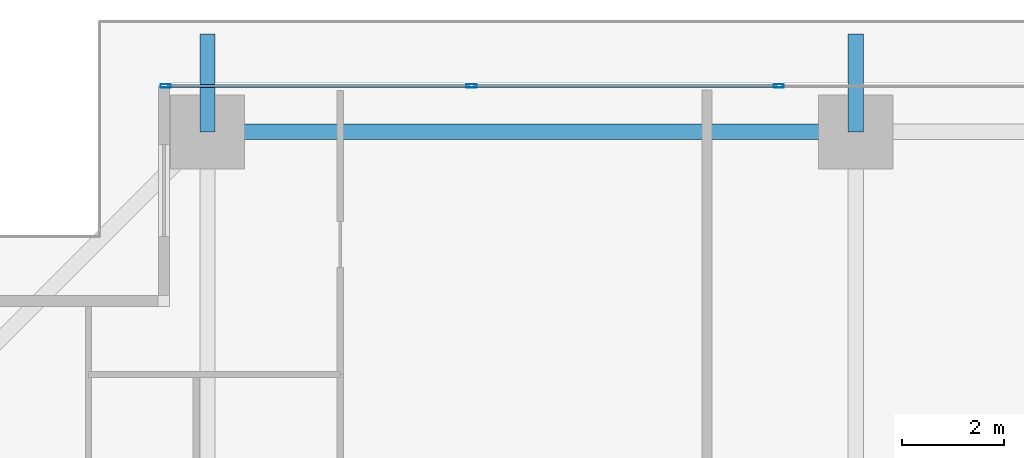
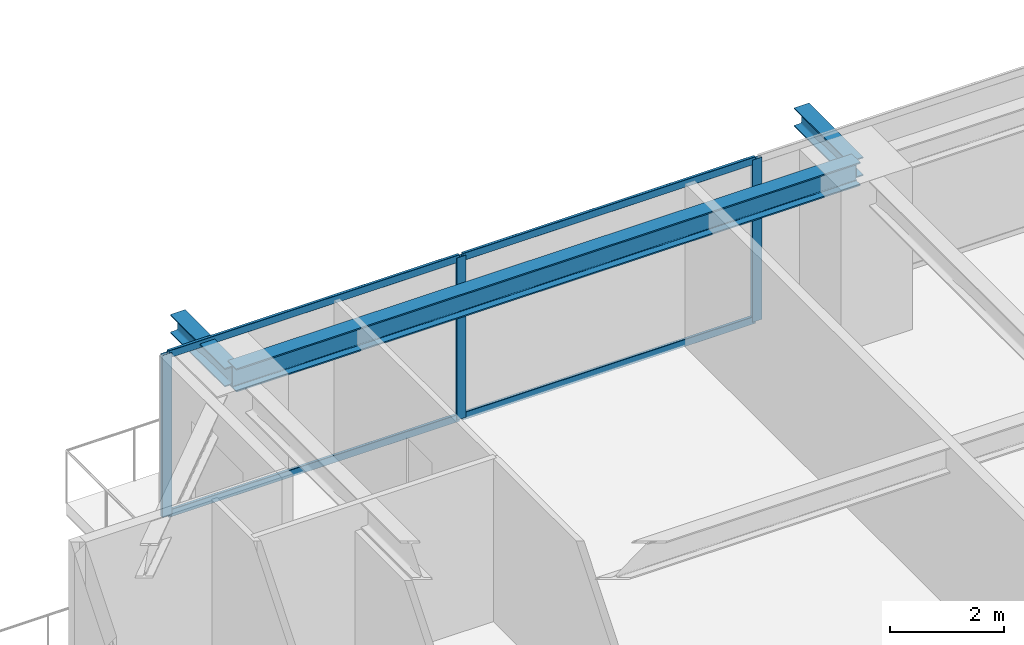
# One storey, part 20 of 41: 7 members, 3 beams, 1 element without a shape of its own.
"""IFC4 building model written with IfcOpenShell, lengths in metres."""

from ifc_helpers import new_model, si_unit, direction, frame, origin, origin_2d, place, context, subcontext, project, spatial, hollow_rectangle, i_section, extrude, source, transform, mapped, material, layer, layer_set, material_profile, profile_set, type_object, element, aggregate, save


model = new_model("IFC4")

# Units and contexts
model_context = context("Model", 3, precision=1e-05, world=origin(), true_north=direction((0.0, 1.0)))
body_context = subcontext(model_context, "Body", "Model", "MODEL_VIEW")
ifc_project = project(units=[si_unit("LENGTHUNIT", "METRE"), si_unit("AREAUNIT", "SQUARE_METRE"), si_unit("VOLUMEUNIT", "CUBIC_METRE"), si_unit("PLANEANGLEUNIT", "RADIAN"), si_unit("MASSUNIT", "GRAM", prefix="KILO")], contexts=[model_context])

# Site, building, storey
site_placement = place(None, origin())
site = spatial("IfcSite", under=ifc_project, at=site_placement, CompositionType="ELEMENT")
building_placement = place(site_placement, origin())
building = spatial("IfcBuilding", under=site, at=building_placement, Name="Serunith Strait Residences", CompositionType="ELEMENT")
storey_placement = place(building_placement, frame((0.0, 0.0, 45.449951171875)))
storey = spatial("IfcBuildingStorey", under=building, at=storey_placement, Name="L10", CompositionType="ELEMENT", Elevation=45.449951171875)

# Beams
ifc_material_1 = material(Name="Steel S355J2", Category="steel")
ifc_material_profile_1 = material_profile(ifc_material_1, i_section(OverallWidth=0.300048828125, OverallDepth=0.5, WebThickness=0.014404296875, FlangeThickness=0.028076171875, FilletRadius=0.027099609375, at=origin_2d()), Name="HEB 500")
ifc_profile_set_1 = profile_set([ifc_material_profile_1], Name="Steel S355J2")
beam_type_1 = type_object("IfcBeamType", Name="BM-HEB500", PredefinedType="BEAM", material=ifc_profile_set_1)
shared_shape_1 = source(origin(), body_context, "Body", "SweptSolid", [
    extrude(i_section(OverallWidth=0.300048828125, OverallDepth=0.5, WebThickness=0.014404296875, FlangeThickness=0.028076171875, FilletRadius=0.027099609375, at=origin_2d()), origin(), (0.0, 0.0, 1.0), 12.64990234375),
])
beam_placement = place(storey_placement, frame((27.89990234375, 49.300048828125, 3.237060546875), z_axis=(-1.0, 0.0, 0.0), x_axis=(0.0, -1.0, 0.0)))
element("IfcBeam", 1, at=beam_placement, inside=storey, type_object=beam_type_1, Name="L10 Perimeter Ring Beam 11", PredefinedType="BEAM", context=body_context, shape_type="MappedRepresentation", body=[
    mapped(shared_shape_1, transform((0.0, 0.0, 0.0), scale=1.0)),
])
ifc_material_profile_2 = material_profile(ifc_material_1, i_section(OverallWidth=0.300048828125, OverallDepth=0.39990234375, WebThickness=0.013427734375, FlangeThickness=0.02392578125, FilletRadius=0.027099609375, at=origin_2d()), Name="HEB 400")
ifc_profile_set_2 = profile_set([ifc_material_profile_2], Name="Steel S355J2")
beam_type_2 = type_object("IfcBeamType", Name="BM-HEB400", PredefinedType="BEAM", material=ifc_profile_set_2)
shared_shape_2 = source(origin(), body_context, "Body", "SweptSolid", [
    extrude(i_section(OverallWidth=0.300048828125, OverallDepth=0.39990234375, WebThickness=0.013427734375, FlangeThickness=0.02392578125, FilletRadius=0.027099609375, at=origin_2d()), origin(), (0.0, 0.0, 1.0), 1.909912109375),
])
for number, where, z_axis, x_axis, name in (
    (2, (15.25, 49.300048828125, 3.257080078125), (0.0, 1.0, 0.0), (-1.0, 0.0, 0.0), "L11 Cantilevered Balcony Rib TC-N1"),
    (3, (27.89990234375, 49.300048828125, 3.257080078125), (0.0, 1.0, 0.0), (-1.0, 0.0, 0.0), "L11 Cantilevered Balcony Rib TC-N2"),
):
    element("IfcBeam", number, at=place(storey_placement, frame(where, z_axis=z_axis, x_axis=x_axis)), inside=storey, type_object=beam_type_2, Name=name, PredefinedType="BEAM", context=body_context, shape_type="MappedRepresentation", body=[
        mapped(shared_shape_2, transform((0.0, 0.0, 0.0), scale=1.0)),
    ])

# Curtain wall, members
ifc_material_2 = material(Name="Pale-Champagne Anodised Aluminium", Category="aluminium")
ifc_layer = layer(ifc_material_2, 0.199951171875, Name="Pale-Champagne Anodised Aluminium")
ifc_layer_set = layer_set([ifc_layer], Name="Pale-Champagne Anodised Aluminium")
curtain_wall_type = type_object("IfcCurtainWallType", Name="CW-SYS1", PredefinedType="NOTDEFINED", material=ifc_layer_set)
curtain_wall_placement = place(storey_placement, origin())
curtain_wall = element("IfcCurtainWall", 4, at=curtain_wall_placement, inside=storey, type_object=curtain_wall_type, Name="L10 N Unitised Fritted Curtain Wall", PredefinedType="NOTDEFINED")
ifc_material_profile_3 = material_profile(ifc_material_2, hollow_rectangle(XDim=0.070068359375, YDim=0.199951171875, WallThickness=0.00390625, InnerFilletRadius=0.006103515625, OuterFilletRadius=0.010009765625, at=origin_2d()), Name="ALU 200x70x4")
ifc_profile_set_3 = profile_set([ifc_material_profile_3], Name="Pale-Champagne Anodised Aluminium")
member_type_1 = type_object("IfcMemberType", Name="CW-SYS1-MULL", PredefinedType="MULLION", material=ifc_profile_set_3)
shared_shape_3 = source(origin(), body_context, "Body", "SweptSolid", [
    extrude(hollow_rectangle(XDim=0.070068359375, YDim=0.199951171875, WallThickness=0.00390625, InnerFilletRadius=0.006103515625, OuterFilletRadius=0.010009765625, at=origin_2d()), origin(), (0.0, 0.0, 1.0), 3.47509765625),
])
member_1_placement = place(storey_placement, frame((26.39990234375, 50.199951171875, 0.0), z_axis=(0.0, 0.0, 1.0), x_axis=(0.0, -1.0, 0.0)))
member_1 = element("IfcMember", 5, at=member_1_placement, type_object=member_type_1, Name="CW-1 mullion 5", PredefinedType="MULLION", context=body_context, shape_type="MappedRepresentation", body=[
    mapped(shared_shape_3, transform((0.0, 0.0, 0.0), scale=1.0)),
])
member_2_placement = place(storey_placement, frame((20.39990234375, 50.199951171875, 0.0), z_axis=(0.0, 0.0, 1.0), x_axis=(0.0, -1.0, 0.0)))
member_2 = element("IfcMember", 6, at=member_2_placement, type_object=member_type_1, Name="CW-1 mullion 6", PredefinedType="MULLION", context=body_context, shape_type="MappedRepresentation", body=[
    mapped(shared_shape_3, transform((0.0, 0.0, 0.0), scale=1.0)),
])
member_3_placement = place(storey_placement, frame((14.43505859375, 50.199951171875, 0.0), z_axis=(0.0, 0.0, 1.0), x_axis=(0.0, -1.0, 0.0)))
member_3 = element("IfcMember", 7, at=member_3_placement, type_object=member_type_1, Name="CW-1 mullion 7", PredefinedType="MULLION", context=body_context, shape_type="MappedRepresentation", body=[
    mapped(shared_shape_3, transform((0.0, 0.0, 0.0), scale=1.0)),
])
ifc_material_profile_4 = material_profile(ifc_material_2, hollow_rectangle(XDim=0.06005859375, YDim=0.159912109375, WallThickness=0.00341796875, InnerFilletRadius=0.00537109375, OuterFilletRadius=0.0087890625, at=origin_2d()), Name="ALU 160x60x3.5")
ifc_profile_set_4 = profile_set([ifc_material_profile_4], Name="Pale-Champagne Anodised Aluminium")
member_type_2 = type_object("IfcMemberType", Name="CW-SYS1-TRAN", PredefinedType="USERDEFINED", material=ifc_profile_set_4)
shared_shape_4 = source(origin(), body_context, "Body", "SweptSolid", [
    extrude(hollow_rectangle(XDim=0.06005859375, YDim=0.159912109375, WallThickness=0.00341796875, InnerFilletRadius=0.00537109375, OuterFilletRadius=0.0087890625, at=origin_2d()), origin(), (0.0, 0.0, 1.0), 5.89501953125),
])
member_4_placement = place(storey_placement, frame((20.364990234375, 50.199951171875, 0.030029296875), z_axis=(-1.0, 0.0, 0.0), x_axis=(0.0, -1.0, 0.0)))
member_4 = element("IfcMember", 8, at=member_4_placement, type_object=member_type_2, Name="CW-1 transom 6.1", ObjectType="TRANSOM", PredefinedType="USERDEFINED", context=body_context, shape_type="MappedRepresentation", body=[
    mapped(shared_shape_4, transform((0.0, 0.0, 0.0), scale=1.0)),
])
member_5_placement = place(storey_placement, frame((20.364990234375, 50.199951171875, 3.445068359375), z_axis=(-1.0, 0.0, 0.0), x_axis=(0.0, -1.0, 0.0)))
member_5 = element("IfcMember", 9, at=member_5_placement, type_object=member_type_2, Name="CW-1 transom 6.2", ObjectType="TRANSOM", PredefinedType="USERDEFINED", context=body_context, shape_type="MappedRepresentation", body=[
    mapped(shared_shape_4, transform((0.0, 0.0, 0.0), scale=1.0)),
])
shared_shape_5 = source(origin(), body_context, "Body", "SweptSolid", [
    extrude(hollow_rectangle(XDim=0.06005859375, YDim=0.159912109375, WallThickness=0.00341796875, InnerFilletRadius=0.00537109375, OuterFilletRadius=0.0087890625, at=origin_2d()), origin(), (0.0, 0.0, 1.0), 5.929931640625),
])
member_6_placement = place(storey_placement, frame((26.364990234375, 50.199951171875, 0.030029296875), z_axis=(-1.0, 0.0, 0.0), x_axis=(0.0, -1.0, 0.0)))
member_6 = element("IfcMember", 10, at=member_6_placement, type_object=member_type_2, Name="CW-1 transom 5.1", ObjectType="TRANSOM", PredefinedType="USERDEFINED", context=body_context, shape_type="MappedRepresentation", body=[
    mapped(shared_shape_5, transform((0.0, 0.0, 0.0), scale=1.0)),
])
member_7_placement = place(storey_placement, frame((26.364990234375, 50.199951171875, 3.445068359375), z_axis=(-1.0, 0.0, 0.0), x_axis=(0.0, -1.0, 0.0)))
member_7 = element("IfcMember", 11, at=member_7_placement, type_object=member_type_2, Name="CW-1 transom 5.2", ObjectType="TRANSOM", PredefinedType="USERDEFINED", context=body_context, shape_type="MappedRepresentation", body=[
    mapped(shared_shape_5, transform((0.0, 0.0, 0.0), scale=1.0)),
])
aggregate(curtain_wall, [member_1, member_2, member_3, member_6, member_7, member_4, member_5])

save(model, "model.ifc")
